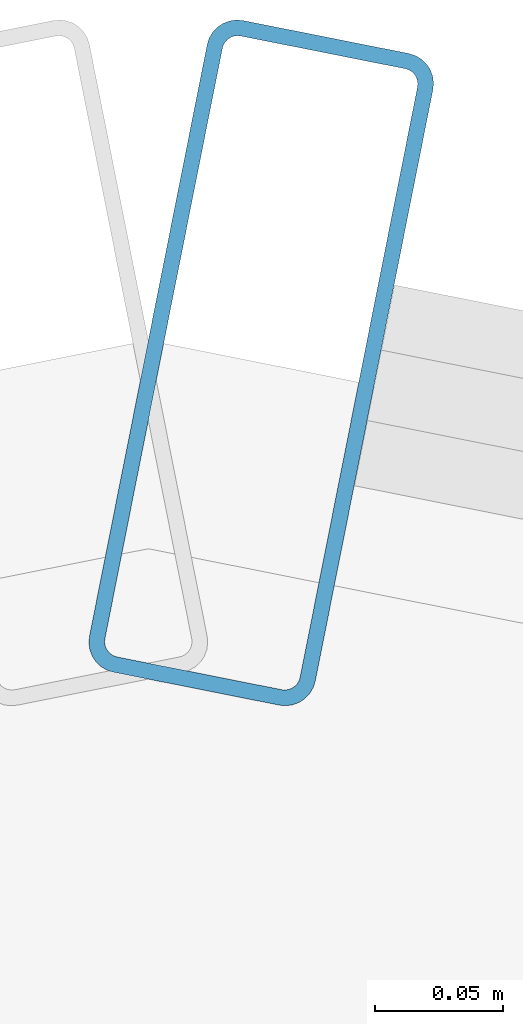
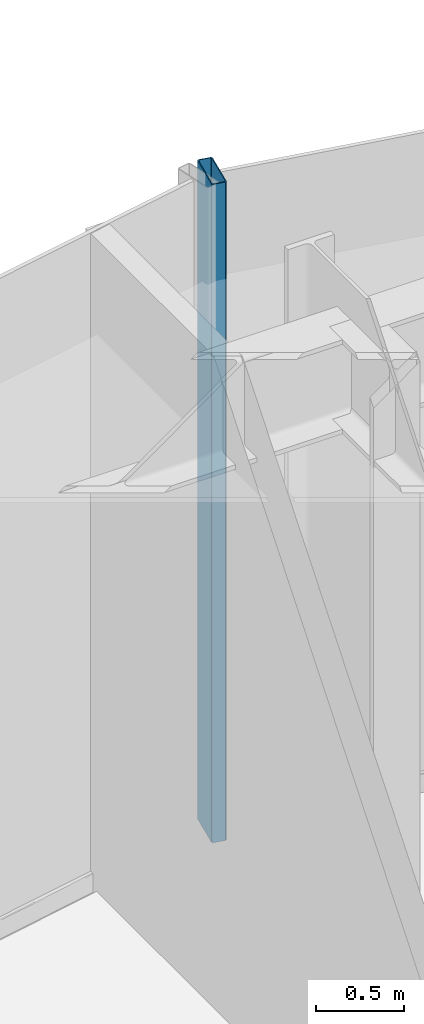
# One storey, part 15 of 27: 1 member, 1 element without a shape of its own.
"""IFC4 building model written with IfcOpenShell, lengths in metres."""

from ifc_helpers import new_model, si_unit, direction, frame, origin, origin_2d, place, context, subcontext, project, spatial, hollow_rectangle, extrude, source, transform, mapped, material, layer, layer_set, material_profile, profile_set, type_object, element, aggregate, save


model = new_model("IFC4")

# Units and contexts
model_context = context("Model", 3, precision=1e-05, world=origin(), true_north=direction((0.0, 1.0)))
body_context = subcontext(model_context, "Body", "Model", "MODEL_VIEW")
ifc_project = project(units=[si_unit("LENGTHUNIT", "METRE"), si_unit("AREAUNIT", "SQUARE_METRE"), si_unit("VOLUMEUNIT", "CUBIC_METRE"), si_unit("PLANEANGLEUNIT", "RADIAN"), si_unit("MASSUNIT", "GRAM", prefix="KILO")], contexts=[model_context])

# Site, building, storey
site_placement = place(None, origin())
site = spatial("IfcSite", under=ifc_project, at=site_placement, CompositionType="ELEMENT")
building_placement = place(site_placement, origin())
building = spatial("IfcBuilding", under=site, at=building_placement, Name="Nefas-Gora Pilgrimage Tower", CompositionType="ELEMENT")
storey_placement = place(building_placement, frame((0.0, 0.0, 144.0)))
storey = spatial("IfcBuildingStorey", under=building, at=storey_placement, Name="L35", CompositionType="ELEMENT", Elevation=144.0)

# Curtain wall, member
ifc_material_1 = material(Name="Dark ceramic-fritted solar-control aluminium-glass curtain wall", Category="aluminium")
ifc_layer = layer(ifc_material_1, 0.219970703125)
ifc_layer_set = layer_set([ifc_layer], Name="Dark ceramic-fritted solar-control aluminium-glass curtain wall")
curtain_wall_type = type_object("IfcCurtainWallType", Name="CW-SYS-5", PredefinedType="NOTDEFINED", material=ifc_layer_set)
curtain_wall_placement = place(storey_placement, origin())
curtain_wall = element("IfcCurtainWall", 1, at=curtain_wall_placement, inside=storey, type_object=curtain_wall_type, Name="L35 Unitised Curtain Wall CW5", PredefinedType="NOTDEFINED")
ifc_material_2 = material(Name="Anodised architectural aluminium", Category="aluminium")
ifc_material_profile = material_profile(ifc_material_2, hollow_rectangle(XDim=0.090087890625, YDim=0.260009765625, WallThickness=0.006103515625, InnerFilletRadius=0.006103515625, OuterFilletRadius=0.011962890625, at=origin_2d()), Name="ALU MULLION 90x260")
ifc_profile_set = profile_set([ifc_material_profile], Name="Anodised architectural aluminium")
member_type = type_object("IfcMemberType", Name="CWM-MUL-5", PredefinedType="MULLION", material=ifc_profile_set)
shared_shape = source(origin(), body_context, "Body", "SweptSolid", [
    extrude(hollow_rectangle(XDim=0.090087890625, YDim=0.260009765625, WallThickness=0.006103515625, InnerFilletRadius=0.006103515625, OuterFilletRadius=0.011962890625, at=origin_2d()), origin(), (0.0, 0.0, 1.0), 4.550048828125),
])
member_placement = place(storey_placement, frame((-2.205810546875, 24.16357421875, 0.0), z_axis=(0.0, 0.0, 1.0), x_axis=(-0.980782896852, 0.195102304554, 0.0)))
member = element("IfcMember", 2, at=member_placement, type_object=member_type, Name="CW5 Mullion 2", PredefinedType="MULLION", context=body_context, shape_type="MappedRepresentation", body=[
    mapped(shared_shape, transform((0.0, 0.0, 0.0), x_axis=(1.0, 0.0, 0.0), y_axis=(0.0, 1.0, 0.0), z_axis=(0.0, 0.0, 1.0), scale=1.0)),
])
aggregate(curtain_wall, [member])

save(model, "model.ifc")
